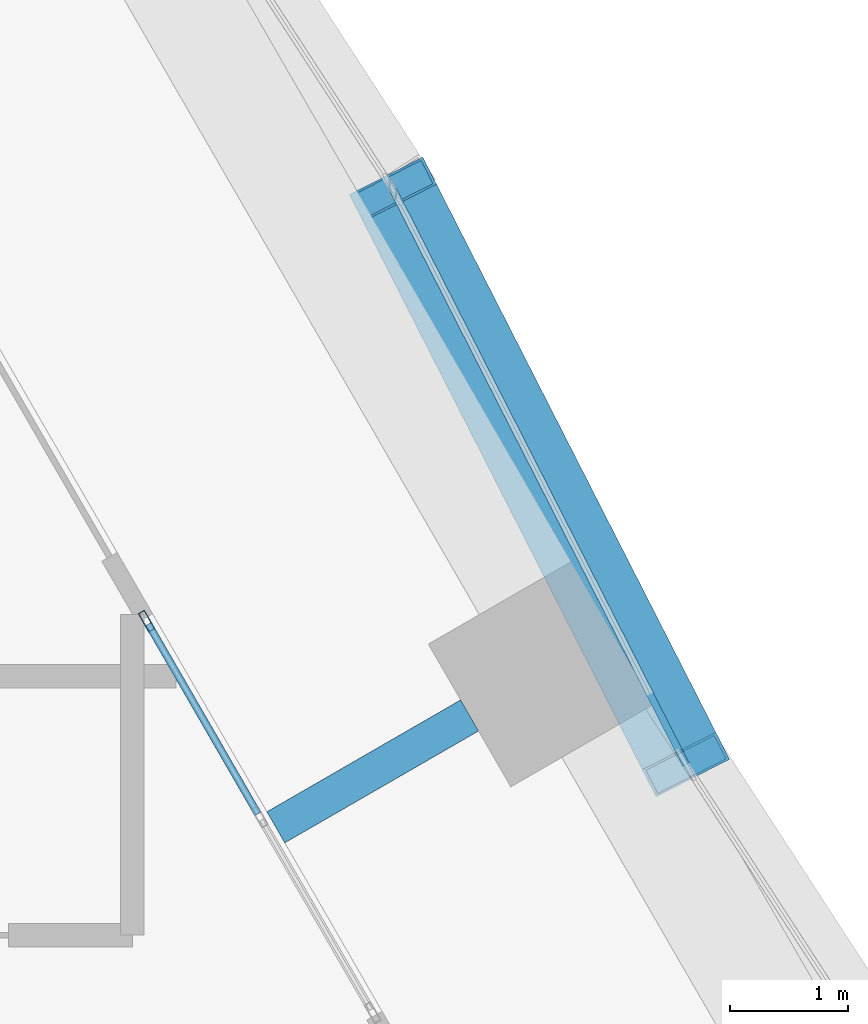
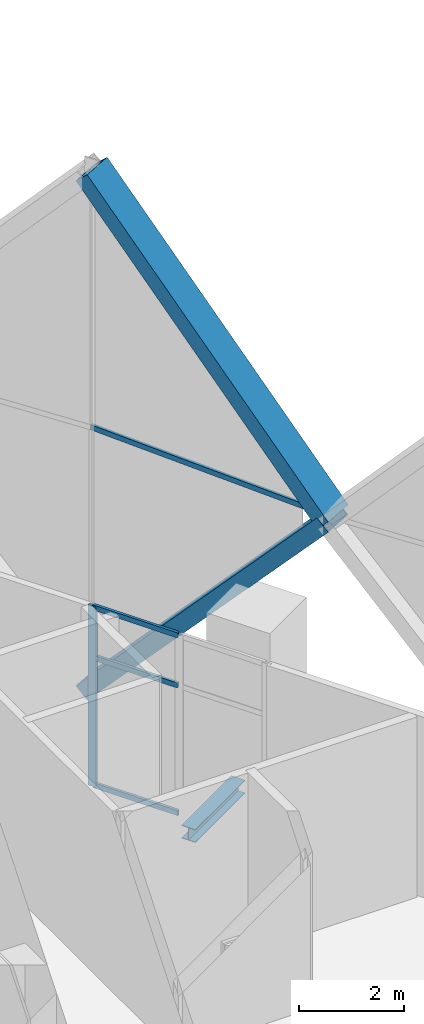
# One storey, part 23 of 46: 7 members, 1 beam, 2 elements without a shape of their own.
"""IFC4 building model written with IfcOpenShell, lengths in metres."""

from ifc_helpers import new_model, si_unit, direction, frame, origin, origin_2d, place, context, subcontext, project, spatial, hollow_rectangle, i_section, extrude, material, material_profile, profile_set, type_object, element, aggregate, save


model = new_model("IFC4")

# Units and contexts
model_context = context("Model", 3, precision=1e-05, world=origin(), true_north=direction((0.0, 1.0)))
body_context = subcontext(model_context, "Body", "Model", "MODEL_VIEW")
ifc_project = project(units=[si_unit("LENGTHUNIT", "METRE"), si_unit("AREAUNIT", "SQUARE_METRE"), si_unit("VOLUMEUNIT", "CUBIC_METRE"), si_unit("PLANEANGLEUNIT", "RADIAN"), si_unit("MASSUNIT", "GRAM", prefix="KILO")], contexts=[model_context])

# Site, building, storey
site_placement = place(None, origin())
site = spatial("IfcSite", under=ifc_project, at=site_placement, CompositionType="ELEMENT")
building_placement = place(site_placement, origin())
building = spatial("IfcBuilding", under=site, at=building_placement, Name="Ostrander Bayou Hotel Tower", CompositionType="ELEMENT")
storey_placement = place(building_placement, frame((0.0, 0.0, 23.5)))
storey = spatial("IfcBuildingStorey", under=building, at=storey_placement, Name="L05", CompositionType="ELEMENT", Elevation=23.5)

# Curtain wall, member
ifc_material_1 = material(Name="Aluminium and clear glass", Category="aluminium")
curtain_wall_type_1 = type_object("IfcCurtainWallType", Name="CW-LAT lattice glazing", PredefinedType="NOTDEFINED", material=ifc_material_1)
curtain_wall_1_placement = place(storey_placement, origin())
curtain_wall_1 = element("IfcCurtainWall", 1, at=curtain_wall_1_placement, inside=storey, type_object=curtain_wall_type_1, Name="CW-LAT L05 NE 2", PredefinedType="NOTDEFINED")
ifc_material_2 = material(Name="Aluminium", Category="aluminium")
ifc_material_profile_1 = material_profile(ifc_material_2, hollow_rectangle(XDim=0.06005859375, YDim=0.1201171875, WallThickness=0.00390625, at=origin_2d()))
ifc_profile_set_1 = profile_set([ifc_material_profile_1], Name="Aluminium")
member_type_1 = type_object("IfcMemberType", Name="CW-LA transom 60 x 120 mm", PredefinedType="USERDEFINED", material=ifc_profile_set_1)
member_1_placement = place(storey_placement, frame((19.11328125, 11.034912109375, 5.39990234375), z_axis=(0.453987151201, -0.891008230346, 0.0), x_axis=(0.891008230346, 0.453987151201, 0.0)))
member_1 = element("IfcMember", 2, at=member_1_placement, type_object=member_type_1, Name="CW-LAT transom 6", ObjectType="TRANSOM", PredefinedType="USERDEFINED", context=body_context, shape_type="SweptSolid", body=[
    extrude(hollow_rectangle(XDim=0.06005859375, YDim=0.1201171875, WallThickness=0.00390625, at=origin_2d()), origin(), (0.0, 0.0, 1.0), 5.482666015625),
])
aggregate(curtain_wall_1, [member_1])

# Curtain wall, members
ifc_material_3 = material(Name="Aluminium and clear glass", Category="aluminium")
curtain_wall_type_2 = type_object("IfcCurtainWallType", Name="CW-SKY amenity glass wall", PredefinedType="NOTDEFINED", material=ifc_material_3)
curtain_wall_2_placement = place(storey_placement, origin())
curtain_wall_2 = element("IfcCurtainWall", 3, at=curtain_wall_2_placement, inside=storey, type_object=curtain_wall_type_2, Name="CW-SKY L05 NE 2", PredefinedType="NOTDEFINED")
ifc_material_4 = material(Name="Aluminium", Category="aluminium")
ifc_material_profile_2 = material_profile(ifc_material_4, hollow_rectangle(XDim=0.06005859375, YDim=0.179931640625, WallThickness=0.00390625, at=origin_2d()))
ifc_profile_set_2 = profile_set([ifc_material_profile_2], Name="Aluminium")
member_type_2 = type_object("IfcMemberType", Name="CW-SK mullion 60 x 180 mm", PredefinedType="MULLION", material=ifc_profile_set_2)
member_2_placement = place(storey_placement, frame((17.021484375, 7.367919921875, 0.0), z_axis=(0.0, 0.0, 1.0), x_axis=(-0.866025463091, -0.499999897278, 0.0)))
member_2 = element("IfcMember", 4, at=member_2_placement, type_object=member_type_2, Name="CW-SKY mullion 3", PredefinedType="MULLION", context=body_context, shape_type="SweptSolid", body=[
    extrude(hollow_rectangle(XDim=0.06005859375, YDim=0.179931640625, WallThickness=0.00390625, at=origin_2d()), origin(), (0.0, 0.0, 1.0), 4.199951171875),
])
ifc_material_5 = material(Name="Aluminium", Category="aluminium")
ifc_material_profile_3 = material_profile(ifc_material_5, hollow_rectangle(XDim=0.06005859375, YDim=0.1201171875, WallThickness=0.00390625, at=origin_2d()))
ifc_profile_set_3 = profile_set([ifc_material_profile_3], Name="Aluminium")
member_type_3 = type_object("IfcMemberType", Name="CW-SK transom 60 x 120 mm", PredefinedType="USERDEFINED", material=ifc_profile_set_3)
member_3_placement = place(storey_placement, frame((17.966552734375, 5.73095703125, 0.030029296875), z_axis=(-0.499964847546, 0.866045698112, 0.0), x_axis=(-0.866045698112, -0.499964847546, 0.0)))
member_3 = element("IfcMember", 5, at=member_3_placement, type_object=member_type_3, Name="CW-SKY transom 2.1", ObjectType="TRANSOM", PredefinedType="USERDEFINED", context=body_context, shape_type="SweptSolid", body=[
    extrude(hollow_rectangle(XDim=0.06005859375, YDim=0.1201171875, WallThickness=0.00390625, at=origin_2d()), origin(), (0.0, 0.0, 1.0), 1.860107421875),
])
member_4_placement = place(storey_placement, frame((17.966552734375, 5.73095703125, 3.0), z_axis=(-0.499964847546, 0.866045698112, 0.0), x_axis=(-0.866045698112, -0.499964847546, 0.0)))
member_4 = element("IfcMember", 6, at=member_4_placement, type_object=member_type_3, Name="CW-SKY transom 2.2", ObjectType="TRANSOM", PredefinedType="USERDEFINED", context=body_context, shape_type="SweptSolid", body=[
    extrude(hollow_rectangle(XDim=0.06005859375, YDim=0.1201171875, WallThickness=0.00390625, at=origin_2d()), origin(), (0.0, 0.0, 1.0), 1.860107421875),
])
member_5_placement = place(storey_placement, frame((17.966552734375, 5.73095703125, 4.169921875), z_axis=(-0.499964847546, 0.866045698112, 0.0), x_axis=(-0.866045698112, -0.499964847546, 0.0)))
member_5 = element("IfcMember", 7, at=member_5_placement, type_object=member_type_3, Name="CW-SKY transom 2.3", ObjectType="TRANSOM", PredefinedType="USERDEFINED", context=body_context, shape_type="SweptSolid", body=[
    extrude(hollow_rectangle(XDim=0.06005859375, YDim=0.1201171875, WallThickness=0.00390625, at=origin_2d()), origin(), (0.0, 0.0, 1.0), 1.860107421875),
])
aggregate(curtain_wall_2, [member_2, member_3, member_4, member_5])

# Beam
ifc_material_6 = material(Name="Steel ASTM A992", Category="steel")
ifc_material_profile_4 = material_profile(ifc_material_6, i_section(OverallWidth=0.3046875, OverallDepth=0.307861328125, WebThickness=0.010009765625, FlangeThickness=0.015380859375, at=origin_2d()))
ifc_profile_set_4 = profile_set([ifc_material_profile_4], Name="Steel ASTM A992")
beam_type = type_object("IfcBeamType", Name="LB1 loggia bracket W12x65", PredefinedType="BEAM", material=ifc_profile_set_4)
beam_placement = place(storey_placement, frame((19.7646484375, 6.566650390625, -0.453857421875), z_axis=(-0.866044365799, -0.499967155389, 0.0), x_axis=(0.499967155389, -0.866044365799, 0.0)))
element("IfcBeam", 8, at=beam_placement, inside=storey, type_object=beam_type, Name="LB1 L05 NE1", PredefinedType="BEAM", context=body_context, shape_type="SweptSolid", body=[
    extrude(i_section(OverallWidth=0.3046875, OverallDepth=0.307861328125, WebThickness=0.010009765625, FlangeThickness=0.015380859375, at=origin_2d()), origin(), (0.0, 0.0, 1.0), 1.900146484375),
])

# Members
ifc_material_7 = material(Name="Steel ASTM A572 Gr 50", Category="steel")
ifc_material_profile_5 = material_profile(ifc_material_7, hollow_rectangle(XDim=0.699951171875, YDim=0.35009765625, WallThickness=0.02490234375, at=origin_2d()))
ifc_profile_set_5 = profile_set([ifc_material_profile_5], Name="Steel ASTM A572 Gr 50")
member_type_4 = type_object("IfcMemberType", Name="LT1 lattice member box 700 x 350 x 25 mm", PredefinedType="BRACE", material=ifc_profile_set_5)
for number, where, z_axis, x_axis, name in (
    (9, (21.602294921875, 6.14990234375, 5.39990234375), (-0.306240691735, 0.601036782828, -0.738221798929), (-0.891008230346, -0.453987151201, 0.0), "LT1 L05 NE 3"),
    (10, (21.602294921875, 6.14990234375, 5.39990234375), (-0.306240691735, 0.601036782828, 0.738221798929), (-0.891008230346, -0.453987151201, 0.0), "LT1 L05 NE 4"),
):
    element("IfcMember", number, at=place(storey_placement, frame(where, z_axis=z_axis, x_axis=x_axis)), inside=storey, type_object=member_type_4, Name=name, PredefinedType="BRACE", context=body_context, shape_type="SweptSolid", body=[
        extrude(hollow_rectangle(XDim=0.699951171875, YDim=0.35009765625, WallThickness=0.02490234375, at=origin_2d()), origin(), (0.0, 0.0, 1.0), 8.127685546875),
    ])

save(model, "model.ifc")
